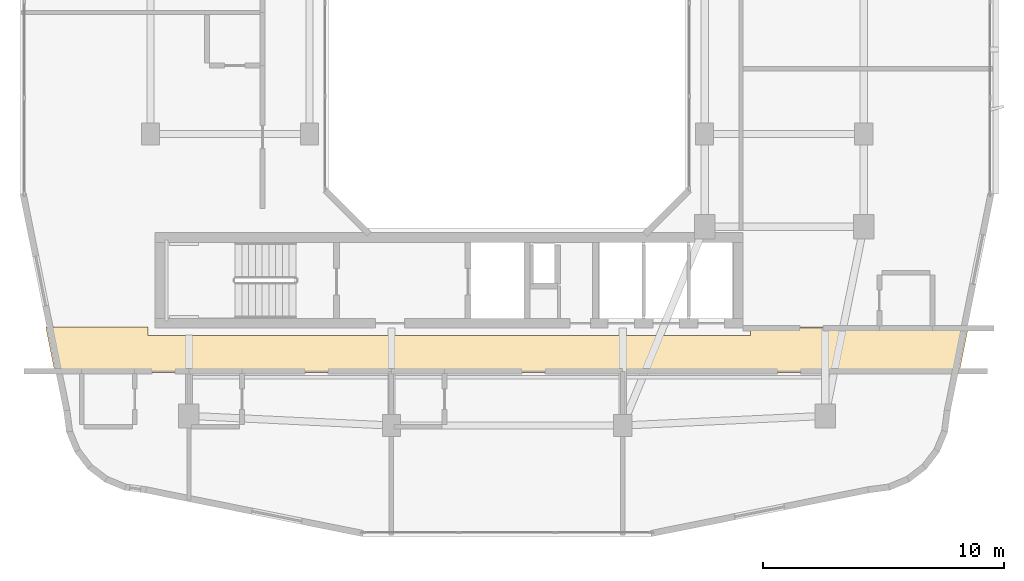
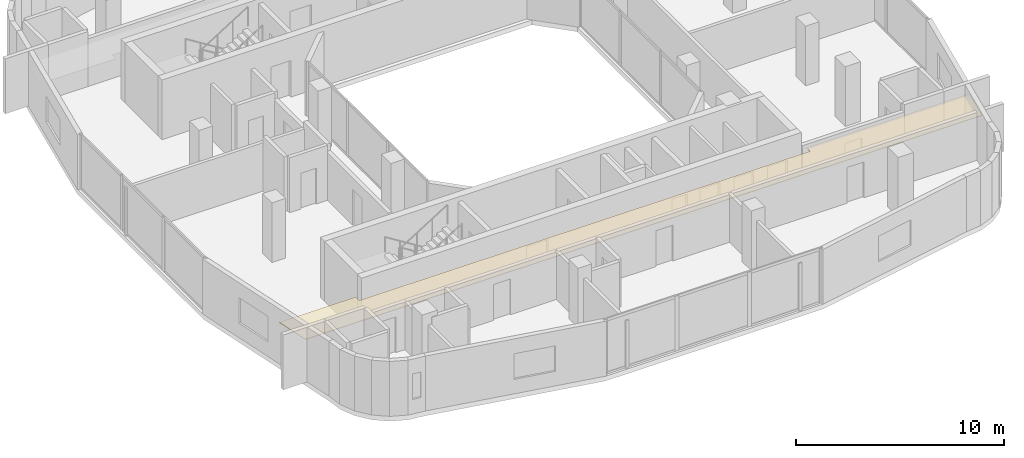
# One storey, part 12 of 14: 1 covering.
"""IFC4 building model written with IfcOpenShell, lengths in metres."""

from ifc_helpers import new_model, si_unit, derived_unit, direction, frame, origin, place, context, subcontext, project, spatial, polyline, outline, extrude, material, layer, layer_set, type_object, element, save


model = new_model("IFC4")

# Units and contexts
model_context = context("Model", 3, precision=1e-05, world=origin(), true_north=direction((0.0, 1.0)))
body_context = subcontext(model_context, "Body", "Model", "MODEL_VIEW")
ifc_project = project(units=[si_unit("LENGTHUNIT", "METRE"), si_unit("AREAUNIT", "SQUARE_METRE"), si_unit("VOLUMEUNIT", "CUBIC_METRE"), si_unit("PLANEANGLEUNIT", "RADIAN"), si_unit("MASSUNIT", "GRAM", prefix="KILO"), derived_unit("THERMALTRANSMITTANCEUNIT", [(si_unit("POWERUNIT", "WATT"), 1), (si_unit("LENGTHUNIT", "METRE"), -2), (si_unit("THERMODYNAMICTEMPERATUREUNIT", "KELVIN"), -1)])], contexts=[model_context])

# Site, building, storey
site_placement = place(None, origin())
site = spatial("IfcSite", under=ifc_project, at=site_placement, CompositionType="ELEMENT")
building_placement = place(site_placement, origin())
building = spatial("IfcBuilding", under=site, at=building_placement, Name="Kivonza Crest Hotel", CompositionType="ELEMENT")
storey_placement = place(building_placement, frame((0.0, 0.0, 145.0)))
storey = spatial("IfcBuildingStorey", under=building, at=storey_placement, Name="L39", CompositionType="ELEMENT", Elevation=145.0)

# Covering
ifc_material = material(Name="Moisture-resistant gypsum plasterboard ceiling", Category="gypsum")
ifc_layer = layer(ifc_material, 0.030029296875)
ifc_layer_set = layer_set([ifc_layer], Name="Moisture-resistant gypsum plasterboard ceiling")
covering_type = type_object("IfcCoveringType", Name="CV-CEIL-GYP", PredefinedType="CEILING", material=ifc_layer_set)
covering_placement = place(storey_placement, frame((0.0, 0.0, 2.449951171875)))
element("IfcCovering", 1, at=covering_placement, inside=storey, type_object=covering_type, Name="L39 Hotel South Guest Corridor suspended ceiling", PredefinedType="CEILING", context=body_context, shape_type="SweptSolid", body=[
    extrude(outline(polyline([(1.85791015625, 13.47998046875), (2.235107421875, 11.610107421875), (39.764892578125, 11.610107421875), (40.14208984375, 13.47998046875), (31.10009765625, 13.47998046875), (31.10009765625, 13.139892578125), (6.10009765625, 13.139892578125), (6.10009765625, 13.47998046875), (1.85791015625, 13.47998046875)])), origin(), (0.0, 0.0, 1.0), 0.030029296875),
])

save(model, "model.ifc")
